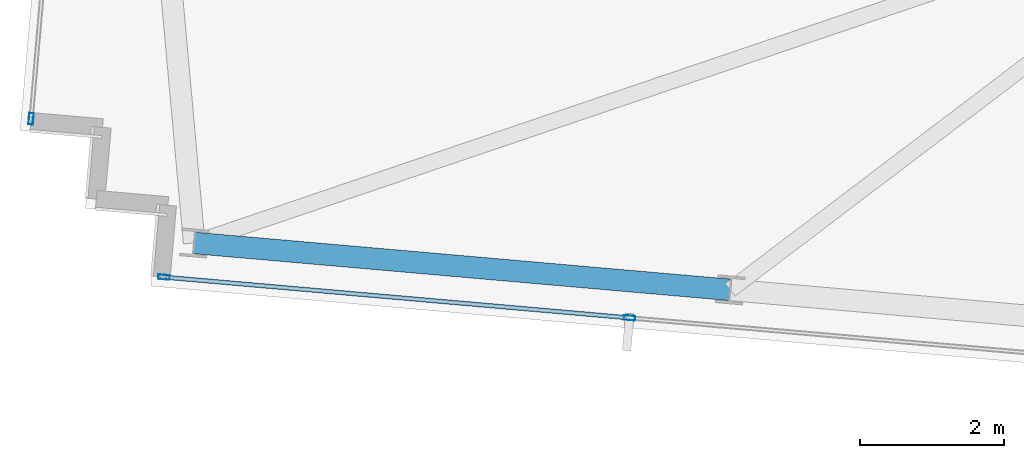
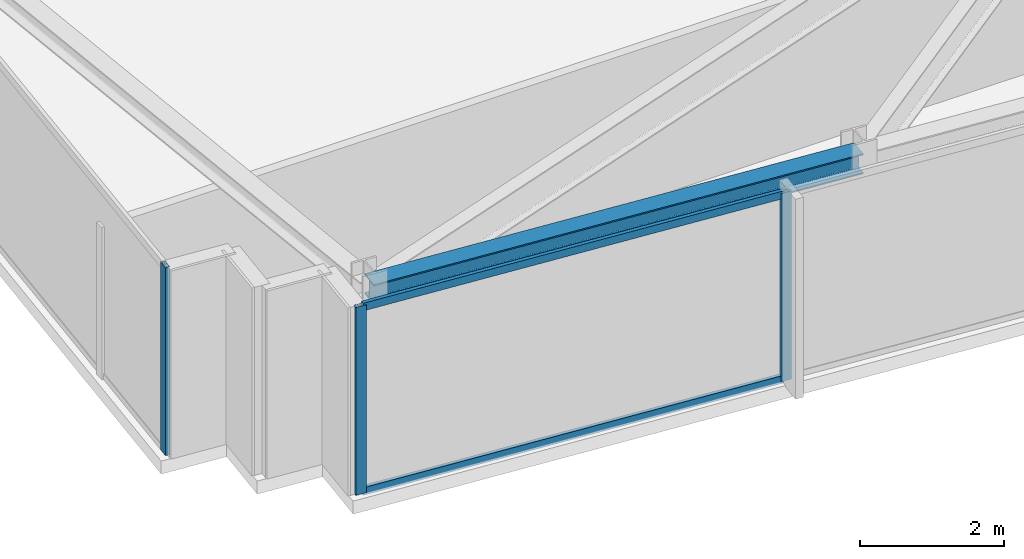
# One storey, part 2 of 33: 5 members, 1 beam, 2 elements without a shape of their own.
"""IFC4 building model written with IfcOpenShell, lengths in metres."""

from ifc_helpers import new_model, si_unit, direction, frame, origin, origin_2d, place, context, subcontext, project, spatial, hollow_rectangle, i_section, extrude, material, material_profile, profile_set, type_object, element, aggregate, save


model = new_model("IFC4")

# Units and contexts
model_context = context("Model", 3, precision=1e-05, world=origin(), true_north=direction((0.0, 1.0)))
body_context = subcontext(model_context, "Body", "Model", "MODEL_VIEW")
ifc_project = project(units=[si_unit("LENGTHUNIT", "METRE"), si_unit("AREAUNIT", "SQUARE_METRE"), si_unit("VOLUMEUNIT", "CUBIC_METRE"), si_unit("PLANEANGLEUNIT", "RADIAN"), si_unit("MASSUNIT", "GRAM", prefix="KILO")], contexts=[model_context])

# Site, building, storey
site_placement = place(None, origin())
site = spatial("IfcSite", under=ifc_project, at=site_placement, CompositionType="ELEMENT")
building_placement = place(site_placement, origin())
building = spatial("IfcBuilding", under=site, at=building_placement, Name="Yelkora Congress Tower", CompositionType="ELEMENT")
storey_placement = place(building_placement, frame((0.0, 0.0, 289.699951171875)))
storey = spatial("IfcBuildingStorey", under=building, at=storey_placement, Name="L81", CompositionType="ELEMENT", Elevation=289.699951171875)

# Beam
ifc_material_1 = material(Name="Steel S355J2", Category="steel")
ifc_material_profile_1 = material_profile(ifc_material_1, i_section(OverallWidth=0.300048828125, OverallDepth=0.340087890625, WebThickness=0.011962890625, FlangeThickness=0.021484375, FilletRadius=0.027099609375, at=origin_2d()), Name="HEB 340")
ifc_profile_set_1 = profile_set([ifc_material_profile_1], Name="Steel S355J2")
beam_type = type_object("IfcBeamType", Name="BM-SPAN-HEB340", PredefinedType="SPANDREL", material=ifc_profile_set_1)
beam_placement = place(storey_placement, frame((7.998046875, 20.097900390625, 3.010009765625), z_axis=(0.996193186297, -0.08717302092, 0.0), x_axis=(0.08717302092, 0.996193186297, 0.0)))
element("IfcBeam", 1, at=beam_placement, inside=storey, type_object=beam_type, Name="L81 Perimeter Beam 1", PredefinedType="SPANDREL", context=body_context, shape_type="SweptSolid", body=[
    extrude(i_section(OverallWidth=0.300048828125, OverallDepth=0.340087890625, WebThickness=0.011962890625, FlangeThickness=0.021484375, FilletRadius=0.027099609375, at=origin_2d()), origin(), (0.0, 0.0, 1.0), 7.4833984375),
])

# Curtain wall, member
ifc_material_2 = material(Name="Anodised aluminium and insulated glass", Category="aluminium")
curtain_wall_type = type_object("IfcCurtainWallType", Name="CW-SYS-B5", PredefinedType="NOTDEFINED", material=ifc_material_2)
curtain_wall_1_placement = place(storey_placement, origin())
curtain_wall_1 = element("IfcCurtainWall", 2, at=curtain_wall_1_placement, inside=storey, type_object=curtain_wall_type, Name="L81 Unitised Curtain Wall 5", PredefinedType="NOTDEFINED")
ifc_material_3 = material(Name="Anodised aluminium 6063-T6", Category="aluminium")
ifc_material_profile_2 = material_profile(ifc_material_3, hollow_rectangle(XDim=0.06494140625, YDim=0.159912109375, WallThickness=0.00390625, at=origin_2d()), Name="ALU 65x160x4")
ifc_profile_set_2 = profile_set([ifc_material_profile_2], Name="Anodised aluminium 6063-T6")
member_type_1 = type_object("IfcMemberType", Name="MEM-ML-B5", PredefinedType="MULLION", material=ifc_profile_set_2)
member_1_placement = place(storey_placement, frame((5.72998046875, 21.824462890625, 0.0), z_axis=(0.0, 0.0, 1.0), x_axis=(-0.996194785929, 0.08715473876, 0.0)))
member_1 = element("IfcMember", 3, at=member_1_placement, type_object=member_type_1, Name="CW-B5 mullion 1", PredefinedType="MULLION", context=body_context, shape_type="SweptSolid", body=[
    extrude(hollow_rectangle(XDim=0.06494140625, YDim=0.159912109375, WallThickness=0.00390625, at=origin_2d()), origin(), (0.0, 0.0, 1.0), 3.179931640625),
])
aggregate(curtain_wall_1, [member_1])

# Curtain wall, members
curtain_wall_2_placement = place(storey_placement, origin())
curtain_wall_2 = element("IfcCurtainWall", 4, at=curtain_wall_2_placement, inside=storey, type_object=curtain_wall_type, Name="L81 Unitised Curtain Wall 20", PredefinedType="NOTDEFINED")
member_2_placement = place(storey_placement, frame((14.0517578125, 19.05615234375, 0.0), z_axis=(0.0, 0.0, 1.0), x_axis=(-0.087156829793, -0.996194602987, 0.0)))
member_2 = element("IfcMember", 5, at=member_2_placement, type_object=member_type_1, Name="CW-B5 mullion 7", PredefinedType="MULLION", context=body_context, shape_type="SweptSolid", body=[
    extrude(hollow_rectangle(XDim=0.06494140625, YDim=0.159912109375, WallThickness=0.00390625, at=origin_2d()), origin(), (0.0, 0.0, 1.0), 3.179931640625),
])
member_3_placement = place(storey_placement, frame((7.57763671875, 19.62255859375, 0.0), z_axis=(0.0, 0.0, 1.0), x_axis=(-0.087156829793, -0.996194602987, 0.0)))
member_3 = element("IfcMember", 6, at=member_3_placement, type_object=member_type_1, Name="CW-B5 mullion 8", PredefinedType="MULLION", context=body_context, shape_type="SweptSolid", body=[
    extrude(hollow_rectangle(XDim=0.06494140625, YDim=0.159912109375, WallThickness=0.00390625, at=origin_2d()), origin(), (0.0, 0.0, 1.0), 3.179931640625),
])
ifc_material_profile_3 = material_profile(ifc_material_3, hollow_rectangle(XDim=0.06005859375, YDim=0.1298828125, WallThickness=0.00390625, at=origin_2d()), Name="ALU 60x130x4")
ifc_profile_set_3 = profile_set([ifc_material_profile_3], Name="Anodised aluminium 6063-T6")
member_type_2 = type_object("IfcMemberType", Name="MEM-TR-B5", PredefinedType="USERDEFINED", material=ifc_profile_set_3)
member_4_placement = place(storey_placement, frame((14.019287109375, 19.05908203125, 0.030029296875), z_axis=(-0.996194170551, 0.08716177236, 0.0), x_axis=(-0.08716177236, -0.996194170551, 0.0)))
member_4 = element("IfcMember", 7, at=member_4_placement, type_object=member_type_2, Name="CW-B5 transom 7.1", ObjectType="TRANSOM", PredefinedType="USERDEFINED", context=body_context, shape_type="SweptSolid", body=[
    extrude(hollow_rectangle(XDim=0.06005859375, YDim=0.1298828125, WallThickness=0.00390625, at=origin_2d()), origin(), (0.0, 0.0, 1.0), 6.433837890625),
])
member_5_placement = place(storey_placement, frame((14.019287109375, 19.05908203125, 3.150146484375), z_axis=(-0.996194170551, 0.08716177236, 0.0), x_axis=(-0.08716177236, -0.996194170551, 0.0)))
member_5 = element("IfcMember", 8, at=member_5_placement, type_object=member_type_2, Name="CW-B5 transom 7.2", ObjectType="TRANSOM", PredefinedType="USERDEFINED", context=body_context, shape_type="SweptSolid", body=[
    extrude(hollow_rectangle(XDim=0.06005859375, YDim=0.1298828125, WallThickness=0.00390625, at=origin_2d()), origin(), (0.0, 0.0, 1.0), 6.433837890625),
])
aggregate(curtain_wall_2, [member_2, member_3, member_4, member_5])

save(model, "model.ifc")
